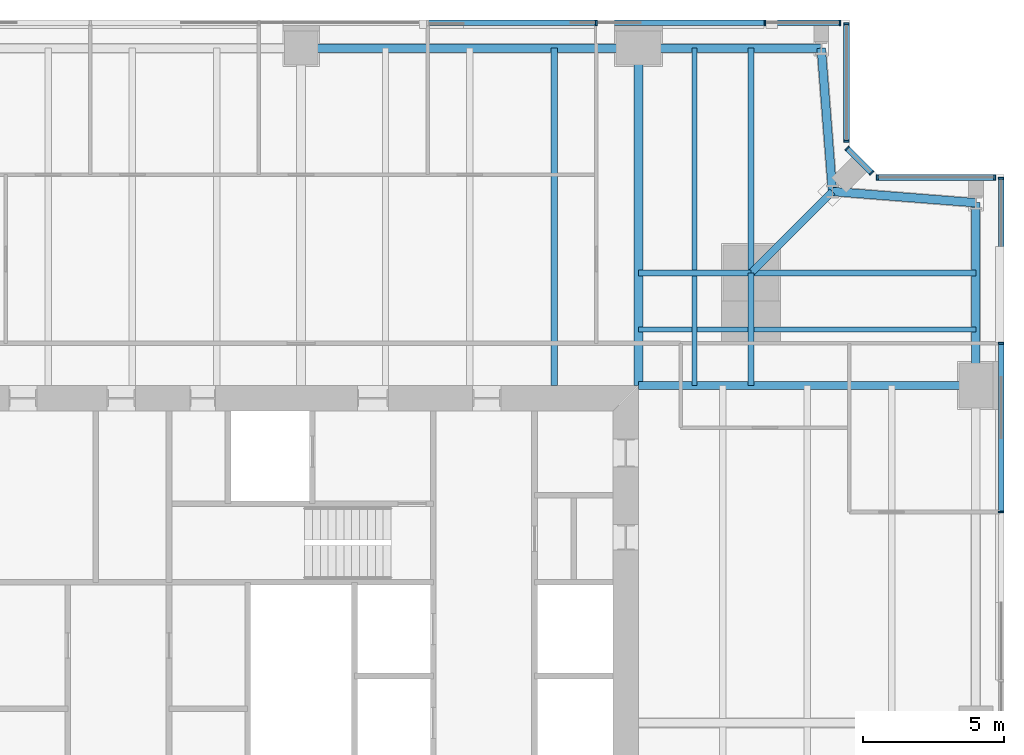
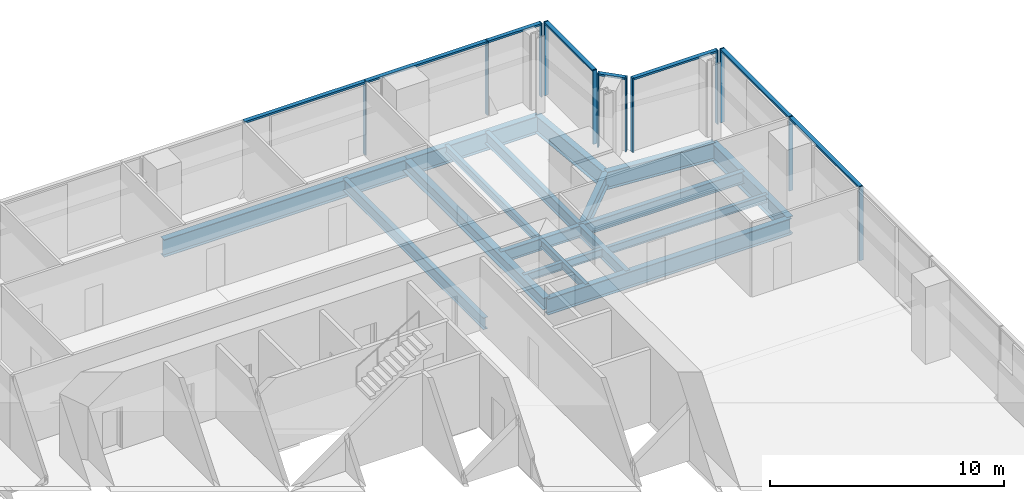
# One storey, part 7 of 14: 20 members, 18 beams, 5 elements without a shape of their own.
"""IFC4 building model written with IfcOpenShell, lengths in metres."""

import ifcopenshell
import ifcopenshell.guid

model = None  # the IFC model being written
_history = None  # IfcOwnerHistory: only IFC2X3 demands one
_inside = {}  # id of a spatial element -> (the spatial element, [elements in it])
_under = {}  # id of a project, library or spatial element -> (it, [spatial elements below it])
_declared = {}  # id of a project -> (the project, [libraries it declares])
_typed = {}  # id of a type object -> (the type object, [elements of that type])
_made_of = {}  # id of a material, layer set ... -> (it, [elements and type objects made of it])


def new_model(schema):
    """Start an empty IFC model of exactly this schema.

    Asked for "IFC4X3", IfcOpenShell would pick the latest addendum, in which some entities
    have other attributes; the version numbers below select the first issue.
    IFC2X3 requires an IfcOwnerHistory on every rooted entity: one is made here for all.
    """
    global model, _history
    if schema == "IFC4X3":
        model = ifcopenshell.file(schema_version=(4, 3, 0, 0))
    else:
        model = ifcopenshell.file(schema=schema)
    _inside.clear()
    _under.clear()
    _declared.clear()
    _typed.clear()
    _made_of.clear()
    _history = None
    if model.schema == "IFC2X3":
        org = make("IfcOrganization", Name="unknown")
        user = make(
            "IfcPersonAndOrganization",
            ThePerson=make("IfcPerson", FamilyName="unknown"),
            TheOrganization=org,
        )
        app = make(
            "IfcApplication",
            ApplicationDeveloper=org,
            Version="unknown",
            ApplicationFullName="unknown",
            ApplicationIdentifier="unknown",
        )
        _history = make(
            "IfcOwnerHistory",
            OwningUser=user,
            OwningApplication=app,
            ChangeAction="ADDED",
            CreationDate=0,
        )
    return model


def make(cls, **values):
    """One entity of the class cls with the attributes given. An attribute that is None is left unset."""
    return model.create_entity(
        cls, **{name: value for name, value in values.items() if value is not None}
    )


def rooted(cls, **values):
    """An entity with a GlobalId (a new one), such as an element, a storey or a relation."""
    return make(cls, GlobalId=ifcopenshell.guid.new(), OwnerHistory=_history, **values)


def si_unit(unit_type, name, prefix=None):
    """IfcSIUnit, for example si_unit("LENGTHUNIT", "METRE", prefix="MILLI")."""
    return make("IfcSIUnit", UnitType=unit_type, Prefix=prefix, Name=name)


def assignment(units):
    """IfcUnitAssignment: the units of a project."""
    return None if units is None else make("IfcUnitAssignment", Units=units)


def point(xyz):
    """IfcCartesianPoint."""
    return None if xyz is None else make("IfcCartesianPoint", Coordinates=xyz)


def direction(xyz):
    """IfcDirection."""
    return None if xyz is None else make("IfcDirection", DirectionRatios=xyz)


def frame(location, z_axis=None, x_axis=None):
    """IfcAxis2Placement3D, a coordinate frame: its origin and axes. An axis left out is left unset."""
    return make(
        "IfcAxis2Placement3D",
        Location=point(location),
        Axis=direction(z_axis),
        RefDirection=direction(x_axis),
    )


def frame_2d(location, x_axis=None):
    """IfcAxis2Placement2D, a coordinate frame in the plane: its origin and x axis."""
    return make(
        "IfcAxis2Placement2D", Location=point(location), RefDirection=direction(x_axis)
    )


def origin():
    """The frame at (0, 0, 0) with its axes left unset."""
    return frame((0.0, 0.0, 0.0))


def origin_2d():
    """The frame at (0, 0) in the plane with its x axis left unset."""
    return frame_2d((0.0, 0.0))


def place(relative_to, where):
    """IfcLocalPlacement: puts the frame where relative to a parent placement (None: the world)."""
    return make(
        "IfcLocalPlacement", PlacementRelTo=relative_to, RelativePlacement=where
    )


def context(
    kind, dimensions, precision=None, world=None, true_north=None, identifier=None
):
    """IfcGeometricRepresentationContext, for example the 3D "Model" context."""
    return make(
        "IfcGeometricRepresentationContext",
        ContextIdentifier=identifier,
        ContextType=kind,
        CoordinateSpaceDimension=dimensions,
        Precision=precision,
        WorldCoordinateSystem=world,
        TrueNorth=true_north,
    )


def subcontext(parent, identifier, kind, view, scale=None):
    """IfcGeometricRepresentationSubContext, for example "Body" below "Model"."""
    return make(
        "IfcGeometricRepresentationSubContext",
        ContextIdentifier=identifier,
        ContextType=kind,
        ParentContext=parent,
        TargetScale=scale,
        TargetView=view,
    )


def project(units=None, contexts=None):
    """IfcProject with its units and contexts."""
    return rooted(
        "IfcProject",
        Name="project",
        RepresentationContexts=contexts,
        UnitsInContext=assignment(units),
    )


def spatial(cls, under=None, at=None, **own):
    """A site, building, storey or space (cls), placed at a placement, below another one or the project."""
    s = rooted(cls, ObjectPlacement=at, **own)
    if under is not None:
        _under.setdefault(under.id(), (under, []))[1].append(s)
    return s


def profile(cls, at=None, kind="AREA", **sizes):
    """A parametric profile (cls). Its sizes go by their IFC names, for example OverallWidth=200.0."""
    return make(cls, ProfileType=kind, Position=at, **sizes)


def rectangle(**sizes):
    """IfcRectangleProfileDef."""
    return profile("IfcRectangleProfileDef", **sizes)


def i_section(**sizes):
    """IfcIShapeProfileDef."""
    return profile("IfcIShapeProfileDef", **sizes)


def extrude(swept, where, along, depth):
    """IfcExtrudedAreaSolid: the profile swept, set in the frame where, extruded along a direction by depth."""
    return make(
        "IfcExtrudedAreaSolid",
        SweptArea=swept,
        Position=where,
        ExtrudedDirection=direction(along),
        Depth=depth,
    )


def shape(context_of_items, identifier, shape_type, items):
    """IfcShapeRepresentation: the items that make up one representation, for example the "Body"."""
    return make(
        "IfcShapeRepresentation",
        ContextOfItems=context_of_items,
        RepresentationIdentifier=identifier,
        RepresentationType=shape_type,
        Items=items,
    )


def material(Name=None, Category=None):
    """IfcMaterial."""
    return make("IfcMaterial", Name=Name, Category=Category)


def material_profile(
    of_material, cross_section, Name=None, Category=None, Priority=None
):
    """IfcMaterialProfile: a cross section and its material."""
    return make(
        "IfcMaterialProfile",
        Name=Name,
        Material=of_material,
        Profile=cross_section,
        Priority=Priority,
        Category=Category,
    )


def profile_set(profiles, Name=None, composite=None):
    """IfcMaterialProfileSet."""
    return make(
        "IfcMaterialProfileSet",
        Name=Name,
        MaterialProfiles=profiles,
        CompositeProfile=composite,
    )


def made_of(thing, what):
    """Note that an element or type object is made of a material, layer set ...; save() writes the relation."""
    if what is not None:
        _made_of.setdefault(what.id(), (what, []))[1].append(thing)
    return thing


def type_object(cls, material=None, **own):
    """A type object (cls), such as IfcWallType, which elements share."""
    return made_of(rooted(cls, **own), material)


def element(
    cls,
    number,
    at=None,
    inside=None,
    cuts=None,
    type_object=None,
    material=None,
    context=None,
    identifier="Body",
    shape_type=None,
    held_by="IfcProductDefinitionShape",
    body=None,
    shapes=None,
    **own,
):
    """One element of the class cls, such as IfcWall. Its Tag is "e" and its number.

    at: its placement. inside: the storey or other place that contains it. cuts: it is an
    opening in that element (IfcRelVoidsElement). A single representation is given by context,
    identifier, shape_type and body (its items); several are given by shapes. held_by: the class
    of the entity that holds the representations. save() writes the other relations.
    """
    e = rooted(cls, Tag="e%d" % number, ObjectPlacement=at, **own)
    if body is not None:
        shapes = [shape(context, identifier, shape_type, body)]
    if shapes is not None:
        e.Representation = make(held_by, Representations=shapes)
    if inside is not None:
        _inside.setdefault(inside.id(), (inside, []))[1].append(e)
    if cuts is not None:
        rooted(
            "IfcRelVoidsElement", RelatingBuildingElement=cuts, RelatedOpeningElement=e
        )
    if type_object is not None:
        _typed.setdefault(type_object.id(), (type_object, []))[1].append(e)
    return made_of(e, material)


def aggregate(whole, parts):
    """IfcRelAggregates: a whole, such as a stair, and the parts it consists of."""
    return rooted("IfcRelAggregates", RelatingObject=whole, RelatedObjects=parts)


def save(model, path):
    """Write the relations noted so far, then the file.

    IfcRelAggregates (storeys below a building ...), IfcRelContainedInSpatialStructure (elements
    in a storey), IfcRelDefinesByType, IfcRelAssociatesMaterial and IfcRelDeclares: one each for
    every whole, place, type object, material and project.
    """
    for whole, parts in _under.values():
        aggregate(whole, parts)
    for where, things in _inside.values():
        rooted(
            "IfcRelContainedInSpatialStructure",
            RelatedElements=things,
            RelatingStructure=where,
        )
    for kind, things in _typed.values():
        rooted("IfcRelDefinesByType", RelatedObjects=things, RelatingType=kind)
    for what, things in _made_of.values():
        rooted("IfcRelAssociatesMaterial", RelatedObjects=things, RelatingMaterial=what)
    for by, libraries in _declared.values():
        rooted("IfcRelDeclares", RelatingContext=by, RelatedDefinitions=libraries)
    model.write(path)


model = new_model("IFC4")

# Units and contexts
model_context = context("Model", 3, precision=1e-05, world=origin(), true_north=direction((0.0, 1.0)))
body_context = subcontext(model_context, "Body", "Model", "MODEL_VIEW")
ifc_project = project(units=[si_unit("LENGTHUNIT", "METRE"), si_unit("AREAUNIT", "SQUARE_METRE"), si_unit("VOLUMEUNIT", "CUBIC_METRE"), si_unit("PLANEANGLEUNIT", "RADIAN"), si_unit("MASSUNIT", "GRAM", prefix="KILO")], contexts=[model_context])

# Site, building, storey
site_placement = place(None, origin())
site = spatial("IfcSite", under=ifc_project, at=site_placement, CompositionType="ELEMENT")
building_placement = place(site_placement, origin())
building = spatial("IfcBuilding", under=site, at=building_placement, Name="Fenwick Lantern Interchange", CompositionType="ELEMENT")
storey_placement = place(building_placement, frame((0.0, 0.0, 193.800048828125)))
storey = spatial("IfcBuildingStorey", under=building, at=storey_placement, Name="L45", CompositionType="ELEMENT", Elevation=193.800048828125)

# Beams
ifc_material_1 = material(Name="Steel ASTM A992 Grade 50", Category="steel")
ifc_material_profile_1 = material_profile(ifc_material_1, i_section(OverallWidth=0.3046875, OverallDepth=0.911865234375, WebThickness=0.015869140625, FlangeThickness=0.02392578125, at=origin_2d()), Name="W36X150")
ifc_profile_set_1 = profile_set([ifc_material_profile_1], Name="Steel ASTM A992 Grade 50")
beam_type_1 = type_object("IfcBeamType", Name="EDGE BEAM W36X150", PredefinedType="SPANDREL", material=ifc_profile_set_1)
beam_1_placement = place(storey_placement, frame((49.0, 37.0, -0.60595703125), z_axis=(0.0, 1.0, 0.0), x_axis=(-1.0, 0.0, 0.0)))
element("IfcBeam", 1, at=beam_1_placement, inside=storey, type_object=beam_type_1, Name="L45/FR/E/EB4", PredefinedType="SPANDREL", context=body_context, shape_type="SweptSolid", body=[
    extrude(i_section(OverallWidth=0.3046875, OverallDepth=0.911865234375, WebThickness=0.015869140625, FlangeThickness=0.02392578125, at=origin_2d()), origin(), (0.0, 0.0, 1.0), 6.5),
])
for number, where, z_axis, x_axis, name in (
    (2, (49.0, 43.5, -0.60595703125), (-0.99693998236, 0.078170784639, 0.0), (-0.078170784639, -0.99693998236, 0.0), "L45/FR/E/EBR1"),
    (3, (43.89990234375, 43.89990234375, -0.60595703125), (-0.078170784639, 0.99693998236, 0.0), (-0.99693998236, -0.078170784639, 0.0), "L45/FR/E/EBR2"),
):
    element("IfcBeam", number, at=place(storey_placement, frame(where, z_axis=z_axis, x_axis=x_axis)), inside=storey, type_object=beam_type_1, Name=name, PredefinedType="SPANDREL", context=body_context, shape_type="SweptSolid", body=[
        extrude(i_section(OverallWidth=0.3046875, OverallDepth=0.911865234375, WebThickness=0.015869140625, FlangeThickness=0.02392578125, at=origin_2d()), origin(), (0.0, 0.0, 1.0), 5.11572265625),
    ])
beam_2_placement = place(storey_placement, frame((43.5, 49.0, -0.60595703125), z_axis=(-1.0, 0.0, 0.0), x_axis=(0.0, -1.0, 0.0)))
element("IfcBeam", 4, at=beam_2_placement, inside=storey, type_object=beam_type_1, Name="L45/FR/N/EB1", PredefinedType="SPANDREL", context=body_context, shape_type="SweptSolid", body=[
    extrude(i_section(OverallWidth=0.3046875, OverallDepth=0.911865234375, WebThickness=0.015869140625, FlangeThickness=0.02392578125, at=origin_2d()), origin(), (0.0, 0.0, 1.0), 6.5),
])
beam_3_placement = place(storey_placement, frame((37.0, 49.0, -0.60595703125), z_axis=(-1.0, 0.0, 0.0), x_axis=(0.0, -1.0, 0.0)))
element("IfcBeam", 5, at=beam_3_placement, inside=storey, type_object=beam_type_1, Name="L45/FR/N/EB2", PredefinedType="SPANDREL", context=body_context, shape_type="SweptSolid", body=[
    extrude(i_section(OverallWidth=0.3046875, OverallDepth=0.911865234375, WebThickness=0.015869140625, FlangeThickness=0.02392578125, at=origin_2d()), origin(), (0.0, 0.0, 1.0), 12.0),
])
ifc_material_profile_2 = material_profile(ifc_material_1, i_section(OverallWidth=0.22900390625, OverallDepth=0.612060546875, WebThickness=0.011962890625, FlangeThickness=0.01953125, at=origin_2d()), Name="W24X84")
ifc_profile_set_2 = profile_set([ifc_material_profile_2], Name="Steel ASTM A992 Grade 50")
beam_type_2 = type_object("IfcBeamType", Name="FLOOR BEAM W24X84", PredefinedType="BEAM", material=ifc_profile_set_2)
beam_4_placement = place(storey_placement, frame((34.0, 49.0, -0.4560546875), z_axis=(0.0, -1.0, 0.0), x_axis=(1.0, 0.0, 0.0)))
element("IfcBeam", 6, at=beam_4_placement, inside=storey, type_object=beam_type_2, Name="L45/FR/N/R02", PredefinedType="BEAM", context=body_context, shape_type="SweptSolid", body=[
    extrude(i_section(OverallWidth=0.22900390625, OverallDepth=0.612060546875, WebThickness=0.011962890625, FlangeThickness=0.01953125, at=origin_2d()), origin(), (0.0, 0.0, 1.0), 12.0),
])
ifc_material_profile_3 = material_profile(ifc_material_1, i_section(OverallWidth=0.177734375, OverallDepth=0.406494140625, WebThickness=0.0078125, FlangeThickness=0.012939453125, at=origin_2d()), Name="W16X40")
ifc_profile_set_3 = profile_set([ifc_material_profile_3], Name="Steel ASTM A992 Grade 50")
beam_type_3 = type_object("IfcBeamType", Name="INFILL BEAM W16X40", PredefinedType="JOIST", material=ifc_profile_set_3)
beam_5_placement = place(storey_placement, frame((39.0, 49.0, -0.353271484375), z_axis=(0.0, -1.0, 0.0), x_axis=(1.0, 0.0, 0.0)))
element("IfcBeam", 7, at=beam_5_placement, inside=storey, type_object=beam_type_3, Name="L45/FR/N/J1", PredefinedType="JOIST", context=body_context, shape_type="SweptSolid", body=[
    extrude(i_section(OverallWidth=0.177734375, OverallDepth=0.406494140625, WebThickness=0.0078125, FlangeThickness=0.012939453125, at=origin_2d()), origin(), (0.0, 0.0, 1.0), 7.885498046875),
])
beam_6_placement = place(storey_placement, frame((39.0, 40.885498046875, -0.353271484375), z_axis=(0.0, -1.0, 0.0), x_axis=(1.0, 0.0, 0.0)))
element("IfcBeam", 8, at=beam_6_placement, inside=storey, type_object=beam_type_3, Name="L45/FR/N/J2", PredefinedType="JOIST", context=body_context, shape_type="SweptSolid", body=[
    extrude(i_section(OverallWidth=0.177734375, OverallDepth=0.406494140625, WebThickness=0.0078125, FlangeThickness=0.012939453125, at=origin_2d()), origin(), (0.0, 0.0, 1.0), 3.885498046875),
])
beam_7_placement = place(storey_placement, frame((49.0, 39.0, -0.353271484375), z_axis=(-1.0, 0.0, 0.0), x_axis=(0.0, -1.0, 0.0)))
element("IfcBeam", 9, at=beam_7_placement, inside=storey, type_object=beam_type_3, Name="L45/FR/N/J3", PredefinedType="JOIST", context=body_context, shape_type="SweptSolid", body=[
    extrude(i_section(OverallWidth=0.177734375, OverallDepth=0.406494140625, WebThickness=0.0078125, FlangeThickness=0.012939453125, at=origin_2d()), origin(), (0.0, 0.0, 1.0), 7.885498046875),
])
beam_8_placement = place(storey_placement, frame((40.885498046875, 39.0, -0.353271484375), z_axis=(-1.0, 0.0, 0.0), x_axis=(0.0, -1.0, 0.0)))
element("IfcBeam", 10, at=beam_8_placement, inside=storey, type_object=beam_type_3, Name="L45/FR/N/J4", PredefinedType="JOIST", context=body_context, shape_type="SweptSolid", body=[
    extrude(i_section(OverallWidth=0.177734375, OverallDepth=0.406494140625, WebThickness=0.0078125, FlangeThickness=0.012939453125, at=origin_2d()), origin(), (0.0, 0.0, 1.0), 1.796630859375),
])
beam_9_placement = place(storey_placement, frame((38.9111328125, 39.0, -0.353271484375), z_axis=(-1.0, 0.0, 0.0), x_axis=(0.0, -1.0, 0.0)))
element("IfcBeam", 11, at=beam_9_placement, inside=storey, type_object=beam_type_3, Name="L45/FR/N/J5", PredefinedType="JOIST", context=body_context, shape_type="SweptSolid", body=[
    extrude(i_section(OverallWidth=0.177734375, OverallDepth=0.406494140625, WebThickness=0.0078125, FlangeThickness=0.012939453125, at=origin_2d()), origin(), (0.0, 0.0, 1.0), 1.9111328125),
])
ifc_material_profile_4 = material_profile(ifc_material_1, i_section(OverallWidth=0.22900390625, OverallDepth=0.612060546875, WebThickness=0.011962890625, FlangeThickness=0.01953125, at=origin_2d()), Name="W24X84")
ifc_profile_set_4 = profile_set([ifc_material_profile_4], Name="Steel ASTM A992 Grade 50")
beam_type_4 = type_object("IfcBeamType", Name="MEGA COLUMN BEAM W24X84", PredefinedType="BEAM", material=ifc_profile_set_4)
for number, where, z_axis, x_axis, name in (
    (12, (41.0, 41.0, -0.4560546875), (0.0, 1.0, 0.0), (-1.0, 0.0, 0.0), "L45/FR/N/MB1"),
    (13, (41.0, 41.0, -0.4560546875), (1.0, 0.0, 0.0), (0.0, 1.0, 0.0), "L45/FR/N/MB2"),
):
    element("IfcBeam", number, at=place(storey_placement, frame(where, z_axis=z_axis, x_axis=x_axis)), inside=storey, type_object=beam_type_4, Name=name, PredefinedType="BEAM", context=body_context, shape_type="SweptSolid", body=[
        extrude(i_section(OverallWidth=0.22900390625, OverallDepth=0.612060546875, WebThickness=0.011962890625, FlangeThickness=0.01953125, at=origin_2d()), origin(), (0.0, 0.0, 1.0), 8.0),
    ])
for number, where, z_axis, x_axis, name in (
    (14, (41.0, 41.0, -0.4560546875), (-1.0, 0.0, 0.0), (0.0, -1.0, 0.0), "L45/FR/N/MB3"),
    (15, (41.0, 41.0, -0.4560546875), (0.0, -1.0, 0.0), (1.0, 0.0, 0.0), "L45/FR/N/MB4"),
):
    element("IfcBeam", number, at=place(storey_placement, frame(where, z_axis=z_axis, x_axis=x_axis)), inside=storey, type_object=beam_type_4, Name=name, PredefinedType="BEAM", context=body_context, shape_type="SweptSolid", body=[
        extrude(i_section(OverallWidth=0.22900390625, OverallDepth=0.612060546875, WebThickness=0.011962890625, FlangeThickness=0.01953125, at=origin_2d()), origin(), (0.0, 0.0, 1.0), 4.0),
    ])
ifc_material_profile_5 = material_profile(ifc_material_1, i_section(OverallWidth=0.32763671875, OverallDepth=0.622314453125, WebThickness=0.015380859375, FlangeThickness=0.0244140625, at=origin_2d()), Name="W24X131")
ifc_profile_set_5 = profile_set([ifc_material_profile_5], Name="Steel ASTM A992 Grade 50")
beam_type_5 = type_object("IfcBeamType", Name="MOMENT-CONNECTED GIRDER W24X131", PredefinedType="BEAM", material=ifc_profile_set_5)
beam_10_placement = place(storey_placement, frame((37.0, 49.0, -0.461181640625), z_axis=(0.0, -1.0, 0.0), x_axis=(1.0, 0.0, 0.0)))
element("IfcBeam", 16, at=beam_10_placement, inside=storey, type_object=beam_type_5, Name="L45/FR/N/R01", PredefinedType="BEAM", context=body_context, shape_type="SweptSolid", body=[
    extrude(i_section(OverallWidth=0.32763671875, OverallDepth=0.622314453125, WebThickness=0.015380859375, FlangeThickness=0.0244140625, at=origin_2d()), origin(), (0.0, 0.0, 1.0), 12.0),
])
ifc_material_profile_6 = material_profile(ifc_material_1, i_section(OverallWidth=0.2919921875, OverallDepth=0.845703125, WebThickness=0.015380859375, FlangeThickness=0.0244140625, at=origin_2d()), Name="W33X141")
ifc_profile_set_6 = profile_set([ifc_material_profile_6], Name="Steel ASTM A992 Grade 50")
beam_type_6 = type_object("IfcBeamType", Name="MOMENT-CONNECTED GIRDER W33X141", PredefinedType="BEAM", material=ifc_profile_set_6)
beam_11_placement = place(storey_placement, frame((49.0, 37.0, -0.572998046875), z_axis=(-1.0, 0.0, 0.0), x_axis=(0.0, -1.0, 0.0)))
element("IfcBeam", 17, at=beam_11_placement, inside=storey, type_object=beam_type_6, Name="L45/FR/E/R03", PredefinedType="BEAM", context=body_context, shape_type="SweptSolid", body=[
    extrude(i_section(OverallWidth=0.2919921875, OverallDepth=0.845703125, WebThickness=0.015380859375, FlangeThickness=0.0244140625, at=origin_2d()), origin(), (0.0, 0.0, 1.0), 12.0),
])
ifc_material_profile_7 = material_profile(ifc_material_1, i_section(OverallWidth=0.2666015625, OverallDepth=0.7568359375, WebThickness=0.013916015625, FlangeThickness=0.019287109375, at=origin_2d()), Name="W30X108")
ifc_profile_set_7 = profile_set([ifc_material_profile_7], Name="Steel ASTM A992 Grade 50")
beam_type_7 = type_object("IfcBeamType", Name="NOTCH BEAM W30X108", PredefinedType="BEAM", material=ifc_profile_set_7)
beam_12_placement = place(storey_placement, frame((41.0, 41.0, -0.528564453125), z_axis=(0.707106781187, 0.707106781187, 0.0), x_axis=(-0.707106781187, 0.707106781187, 0.0)))
element("IfcBeam", 18, at=beam_12_placement, inside=storey, type_object=beam_type_7, Name="L45/FR/N/TG", PredefinedType="BEAM", context=body_context, shape_type="SweptSolid", body=[
    extrude(i_section(OverallWidth=0.2666015625, OverallDepth=0.7568359375, WebThickness=0.013916015625, FlangeThickness=0.019287109375, at=origin_2d()), origin(), (0.0, 0.0, 1.0), 4.10107421875),
])

# Curtain wall, members
ifc_material_2 = material(Name="Aluminium curtain wall frame", Category="aluminium")
curtain_wall_type = type_object("IfcCurtainWallType", Name="OFFICE CURTAIN WALL", PredefinedType="USERDEFINED", material=ifc_material_2)
curtain_wall_1_placement = place(storey_placement, origin())
curtain_wall_1 = element("IfcCurtainWall", 19, at=curtain_wall_1_placement, inside=storey, type_object=curtain_wall_type, Name="Office curtain wall 05", ObjectType="OFFICE CURTAIN WALL", PredefinedType="USERDEFINED")
ifc_material_3 = material(Name="Aluminium extrusion", Category="aluminium")
ifc_material_profile_8 = material_profile(ifc_material_3, rectangle(XDim=0.199951171875, YDim=0.06494140625, at=origin_2d()), Name="OFFICE CURTAIN WALL MULLION 65 X 200")
ifc_profile_set_8 = profile_set([ifc_material_profile_8], Name="Aluminium extrusion")
member_type_1 = type_object("IfcMemberType", Name="OFFICE CURTAIN WALL MULLION 65 X 200", PredefinedType="MULLION", material=ifc_profile_set_8)
member_1_placement = place(storey_placement, frame((49.89990234375, 32.5, 0.0), z_axis=(0.0, 0.0, 1.0), x_axis=(-1.0, 0.0, 0.0)))
member_1 = element("IfcMember", 20, at=member_1_placement, type_object=member_type_1, Name="L45/CW/05/M05", PredefinedType="MULLION", context=body_context, shape_type="SweptSolid", body=[
    extrude(rectangle(XDim=0.199951171875, YDim=0.06494140625, at=origin_2d()), origin(), (0.0, 0.0, 1.0), 3.849853515625),
])
member_2_placement = place(storey_placement, frame((49.89990234375, 38.5, 0.0), z_axis=(0.0, 0.0, 1.0), x_axis=(-1.0, 0.0, 0.0)))
member_2 = element("IfcMember", 21, at=member_2_placement, type_object=member_type_1, Name="L45/CW/05/M06", PredefinedType="MULLION", context=body_context, shape_type="SweptSolid", body=[
    extrude(rectangle(XDim=0.199951171875, YDim=0.06494140625, at=origin_2d()), origin(), (0.0, 0.0, 1.0), 3.849853515625),
])
member_3_placement = place(storey_placement, frame((49.89990234375, 44.367431640625, 0.0), z_axis=(0.0, 0.0, 1.0), x_axis=(-1.0, 0.0, 0.0)))
member_3 = element("IfcMember", 22, at=member_3_placement, type_object=member_type_1, Name="L45/CW/05/M07", PredefinedType="MULLION", context=body_context, shape_type="SweptSolid", body=[
    extrude(rectangle(XDim=0.199951171875, YDim=0.06494140625, at=origin_2d()), origin(), (0.0, 0.0, 1.0), 3.849853515625),
])

curtain_wall_2_placement = place(storey_placement, origin())
curtain_wall_2 = element("IfcCurtainWall", 23, at=curtain_wall_2_placement, inside=storey, type_object=curtain_wall_type, Name="Office curtain wall 06", ObjectType="OFFICE CURTAIN WALL", PredefinedType="USERDEFINED")
member_4_placement = place(storey_placement, frame((49.66748046875, 44.39990234375, 0.0), z_axis=(0.0, 0.0, 1.0), x_axis=(0.0, -1.0, 0.0)))
member_4 = element("IfcMember", 24, at=member_4_placement, type_object=member_type_1, Name="L45/CW/06/M00", PredefinedType="MULLION", context=body_context, shape_type="SweptSolid", body=[
    extrude(rectangle(XDim=0.199951171875, YDim=0.06494140625, at=origin_2d()), origin(), (0.0, 0.0, 1.0), 3.849853515625),
])
member_5_placement = place(storey_placement, frame((45.490966796875, 44.39990234375, 0.0), z_axis=(0.0, 0.0, 1.0), x_axis=(0.0, -1.0, 0.0)))
member_5 = element("IfcMember", 25, at=member_5_placement, type_object=member_type_1, Name="L45/CW/06/M01", PredefinedType="MULLION", context=body_context, shape_type="SweptSolid", body=[
    extrude(rectangle(XDim=0.199951171875, YDim=0.06494140625, at=origin_2d()), origin(), (0.0, 0.0, 1.0), 3.849853515625),
])

curtain_wall_3_placement = place(storey_placement, origin())
curtain_wall_3 = element("IfcCurtainWall", 26, at=curtain_wall_3_placement, inside=storey, type_object=curtain_wall_type, Name="Office curtain wall 07", ObjectType="OFFICE CURTAIN WALL", PredefinedType="USERDEFINED")
member_6_placement = place(storey_placement, frame((45.294189453125, 44.564453125, 0.0), z_axis=(0.0, 0.0, 1.0), x_axis=(-0.707106781187, -0.707106781187, 0.0)))
member_6 = element("IfcMember", 27, at=member_6_placement, type_object=member_type_1, Name="L45/CW/07/M00", PredefinedType="MULLION", context=body_context, shape_type="SweptSolid", body=[
    extrude(rectangle(XDim=0.199951171875, YDim=0.06494140625, at=origin_2d()), origin(), (0.0, 0.0, 1.0), 3.849853515625),
])
member_7_placement = place(storey_placement, frame((44.423095703125, 45.435546875, 0.0), z_axis=(0.0, 0.0, 1.0), x_axis=(-0.707106781187, -0.707106781187, 0.0)))
member_7 = element("IfcMember", 28, at=member_7_placement, type_object=member_type_1, Name="L45/CW/07/M01", PredefinedType="MULLION", context=body_context, shape_type="SweptSolid", body=[
    extrude(rectangle(XDim=0.199951171875, YDim=0.06494140625, at=origin_2d()), origin(), (0.0, 0.0, 1.0), 3.849853515625),
])

curtain_wall_4_placement = place(storey_placement, origin())
curtain_wall_4 = element("IfcCurtainWall", 29, at=curtain_wall_4_placement, inside=storey, type_object=curtain_wall_type, Name="Office curtain wall 08", ObjectType="OFFICE CURTAIN WALL", PredefinedType="USERDEFINED")
member_8_placement = place(storey_placement, frame((44.39990234375, 45.691162109375, 0.0), z_axis=(0.0, 0.0, 1.0), x_axis=(-1.0, 0.0, 0.0)))
member_8 = element("IfcMember", 30, at=member_8_placement, type_object=member_type_1, Name="L45/CW/08/M00", PredefinedType="MULLION", context=body_context, shape_type="SweptSolid", body=[
    extrude(rectangle(XDim=0.199951171875, YDim=0.06494140625, at=origin_2d()), origin(), (0.0, 0.0, 1.0), 3.849853515625),
])
member_9_placement = place(storey_placement, frame((44.39990234375, 49.867431640625, 0.0), z_axis=(0.0, 0.0, 1.0), x_axis=(-1.0, 0.0, 0.0)))
member_9 = element("IfcMember", 31, at=member_9_placement, type_object=member_type_1, Name="L45/CW/08/M01", PredefinedType="MULLION", context=body_context, shape_type="SweptSolid", body=[
    extrude(rectangle(XDim=0.199951171875, YDim=0.06494140625, at=origin_2d()), origin(), (0.0, 0.0, 1.0), 3.849853515625),
])

curtain_wall_5_placement = place(storey_placement, origin())
curtain_wall_5 = element("IfcCurtainWall", 32, at=curtain_wall_5_placement, inside=storey, type_object=curtain_wall_type, Name="Office curtain wall 09", ObjectType="OFFICE CURTAIN WALL", PredefinedType="USERDEFINED")
member_10_placement = place(storey_placement, frame((44.16748046875, 49.89990234375, 0.0), z_axis=(0.0, 0.0, 1.0), x_axis=(0.0, -1.0, 0.0)))
member_10 = element("IfcMember", 33, at=member_10_placement, type_object=member_type_1, Name="L45/CW/09/M00", PredefinedType="MULLION", context=body_context, shape_type="SweptSolid", body=[
    extrude(rectangle(XDim=0.199951171875, YDim=0.06494140625, at=origin_2d()), origin(), (0.0, 0.0, 1.0), 3.849853515625),
])
member_11_placement = place(storey_placement, frame((41.5, 49.89990234375, 0.0), z_axis=(0.0, 0.0, 1.0), x_axis=(0.0, -1.0, 0.0)))
member_11 = element("IfcMember", 34, at=member_11_placement, type_object=member_type_1, Name="L45/CW/09/M01", PredefinedType="MULLION", context=body_context, shape_type="SweptSolid", body=[
    extrude(rectangle(XDim=0.199951171875, YDim=0.06494140625, at=origin_2d()), origin(), (0.0, 0.0, 1.0), 3.849853515625),
])
member_12_placement = place(storey_placement, frame((35.5, 49.89990234375, 0.0), z_axis=(0.0, 0.0, 1.0), x_axis=(0.0, -1.0, 0.0)))
member_12 = element("IfcMember", 35, at=member_12_placement, type_object=member_type_1, Name="L45/CW/09/M02", PredefinedType="MULLION", context=body_context, shape_type="SweptSolid", body=[
    extrude(rectangle(XDim=0.199951171875, YDim=0.06494140625, at=origin_2d()), origin(), (0.0, 0.0, 1.0), 3.849853515625),
])

# Member
ifc_material_profile_9 = material_profile(ifc_material_3, rectangle(XDim=0.199951171875, YDim=0.10009765625, at=origin_2d()), Name="OFFICE CURTAIN WALL TRANSOM 100 X 200")
ifc_profile_set_9 = profile_set([ifc_material_profile_9], Name="Aluminium extrusion")
member_type_2 = type_object("IfcMemberType", Name="OFFICE CURTAIN WALL TRANSOM 100 X 200", PredefinedType="MULLION", material=ifc_profile_set_9)
member_13_placement = place(storey_placement, frame((49.89990234375, 32.532470703125, 3.800048828125), z_axis=(0.0, 1.0, 0.0), x_axis=(-1.0, 0.0, 0.0)))
member_13 = element("IfcMember", 36, at=member_13_placement, type_object=member_type_2, Name="L45/CW/05/T05", PredefinedType="MULLION", context=body_context, shape_type="SweptSolid", body=[
    extrude(rectangle(XDim=0.199951171875, YDim=0.10009765625, at=origin_2d()), origin(), (0.0, 0.0, 1.0), 5.93505859375),
])

member_14_placement = place(storey_placement, frame((49.89990234375, 38.532470703125, 3.800048828125), z_axis=(0.0, 1.0, 0.0), x_axis=(-1.0, 0.0, 0.0)))
member_14 = element("IfcMember", 37, at=member_14_placement, type_object=member_type_2, Name="L45/CW/05/T06", PredefinedType="MULLION", context=body_context, shape_type="SweptSolid", body=[
    extrude(rectangle(XDim=0.199951171875, YDim=0.10009765625, at=origin_2d()), origin(), (0.0, 0.0, 1.0), 5.802490234375),
])

aggregate(curtain_wall_1, [member_1, member_2, member_3, member_13, member_14])

member_15_placement = place(storey_placement, frame((49.635009765625, 44.39990234375, 3.800048828125), z_axis=(-1.0, 0.0, 0.0), x_axis=(0.0, -1.0, 0.0)))
member_15 = element("IfcMember", 38, at=member_15_placement, type_object=member_type_2, Name="L45/CW/06/T00", PredefinedType="MULLION", context=body_context, shape_type="SweptSolid", body=[
    extrude(rectangle(XDim=0.199951171875, YDim=0.10009765625, at=origin_2d()), origin(), (0.0, 0.0, 1.0), 4.111328125),
])

aggregate(curtain_wall_2, [member_4, member_5, member_15])

member_16_placement = place(storey_placement, frame((45.271240234375, 44.58740234375, 3.800048828125), z_axis=(-0.707106781187, 0.707106781187, 0.0), x_axis=(-0.707106781187, -0.707106781187, 0.0)))
member_16 = element("IfcMember", 39, at=member_16_placement, type_object=member_type_2, Name="L45/CW/07/T00", PredefinedType="MULLION", context=body_context, shape_type="SweptSolid", body=[
    extrude(rectangle(XDim=0.199951171875, YDim=0.10009765625, at=origin_2d()), origin(), (0.0, 0.0, 1.0), 1.1669921875),
])

aggregate(curtain_wall_3, [member_6, member_7, member_16])

member_17_placement = place(storey_placement, frame((44.39990234375, 45.7236328125, 3.800048828125), z_axis=(0.0, 1.0, 0.0), x_axis=(-1.0, 0.0, 0.0)))
member_17 = element("IfcMember", 40, at=member_17_placement, type_object=member_type_2, Name="L45/CW/08/T00", PredefinedType="MULLION", context=body_context, shape_type="SweptSolid", body=[
    extrude(rectangle(XDim=0.199951171875, YDim=0.10009765625, at=origin_2d()), origin(), (0.0, 0.0, 1.0), 4.111328125),
])

aggregate(curtain_wall_4, [member_8, member_9, member_17])

member_18_placement = place(storey_placement, frame((44.135009765625, 49.89990234375, 3.800048828125), z_axis=(-1.0, 0.0, 0.0), x_axis=(0.0, -1.0, 0.0)))
member_18 = element("IfcMember", 41, at=member_18_placement, type_object=member_type_2, Name="L45/CW/09/T00", PredefinedType="MULLION", context=body_context, shape_type="SweptSolid", body=[
    extrude(rectangle(XDim=0.199951171875, YDim=0.10009765625, at=origin_2d()), origin(), (0.0, 0.0, 1.0), 2.6025390625),
])

member_19_placement = place(storey_placement, frame((41.467529296875, 49.89990234375, 3.800048828125), z_axis=(-1.0, 0.0, 0.0), x_axis=(0.0, -1.0, 0.0)))
member_19 = element("IfcMember", 42, at=member_19_placement, type_object=member_type_2, Name="L45/CW/09/T01", PredefinedType="MULLION", context=body_context, shape_type="SweptSolid", body=[
    extrude(rectangle(XDim=0.199951171875, YDim=0.10009765625, at=origin_2d()), origin(), (0.0, 0.0, 1.0), 5.93505859375),
])

member_20_placement = place(storey_placement, frame((35.467529296875, 49.89990234375, 3.800048828125), z_axis=(-1.0, 0.0, 0.0), x_axis=(0.0, -1.0, 0.0)))
member_20 = element("IfcMember", 43, at=member_20_placement, type_object=member_type_2, Name="L45/CW/09/T02", PredefinedType="MULLION", context=body_context, shape_type="SweptSolid", body=[
    extrude(rectangle(XDim=0.199951171875, YDim=0.10009765625, at=origin_2d()), origin(), (0.0, 0.0, 1.0), 5.93505859375),
])

aggregate(curtain_wall_5, [member_10, member_11, member_12, member_18, member_19, member_20])

save(model, "model.ifc")
